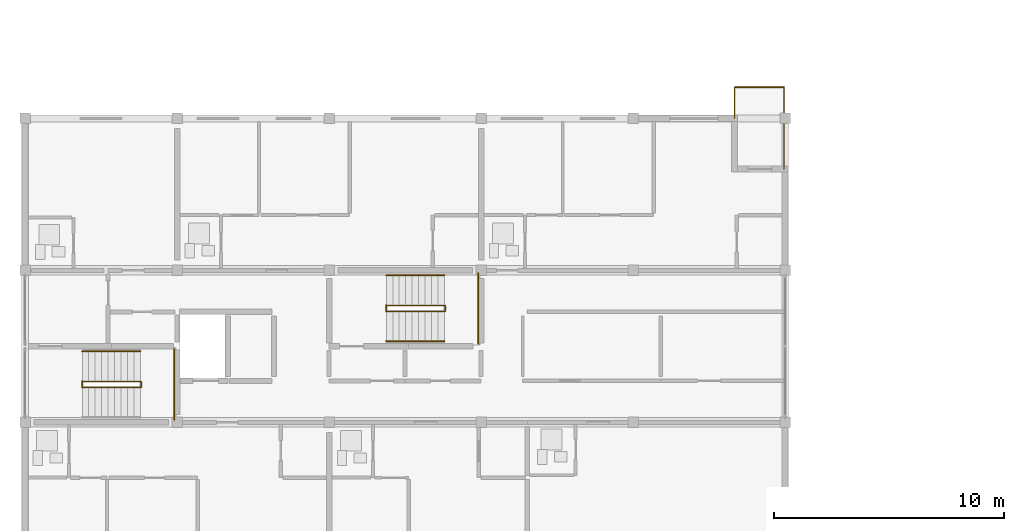
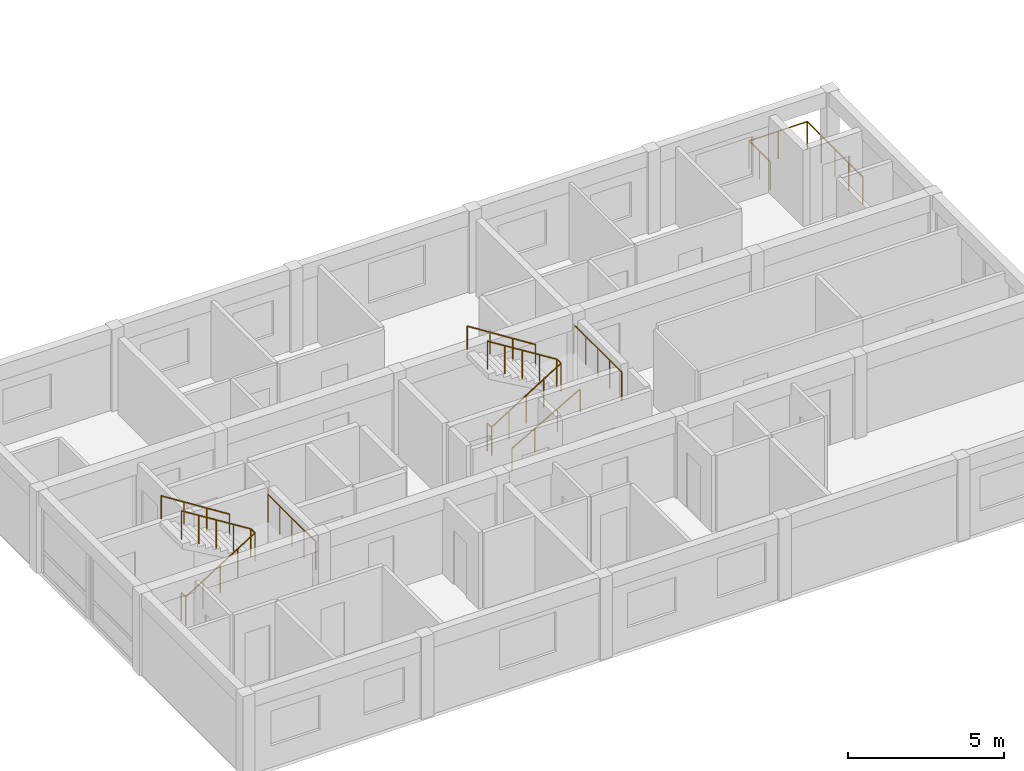
# One storey, part 31 of 34: 10 railings.
"""IFC4 building model written with IfcOpenShell, lengths in metres."""

import ifcopenshell
import ifcopenshell.guid

model = None  # the IFC model being written
_history = None  # IfcOwnerHistory: only IFC2X3 demands one
_inside = {}  # id of a spatial element -> (the spatial element, [elements in it])
_under = {}  # id of a project, library or spatial element -> (it, [spatial elements below it])
_declared = {}  # id of a project -> (the project, [libraries it declares])
_typed = {}  # id of a type object -> (the type object, [elements of that type])
_made_of = {}  # id of a material, layer set ... -> (it, [elements and type objects made of it])


def new_model(schema):
    """Start an empty IFC model of exactly this schema.

    Asked for "IFC4X3", IfcOpenShell would pick the latest addendum, in which some entities
    have other attributes; the version numbers below select the first issue.
    IFC2X3 requires an IfcOwnerHistory on every rooted entity: one is made here for all.
    """
    global model, _history
    if schema == "IFC4X3":
        model = ifcopenshell.file(schema_version=(4, 3, 0, 0))
    else:
        model = ifcopenshell.file(schema=schema)
    _inside.clear()
    _under.clear()
    _declared.clear()
    _typed.clear()
    _made_of.clear()
    _history = None
    if model.schema == "IFC2X3":
        org = make("IfcOrganization", Name="unknown")
        user = make(
            "IfcPersonAndOrganization",
            ThePerson=make("IfcPerson", FamilyName="unknown"),
            TheOrganization=org,
        )
        app = make(
            "IfcApplication",
            ApplicationDeveloper=org,
            Version="unknown",
            ApplicationFullName="unknown",
            ApplicationIdentifier="unknown",
        )
        _history = make(
            "IfcOwnerHistory",
            OwningUser=user,
            OwningApplication=app,
            ChangeAction="ADDED",
            CreationDate=0,
        )
    return model


def make(cls, **values):
    """One entity of the class cls with the attributes given. An attribute that is None is left unset."""
    return model.create_entity(
        cls, **{name: value for name, value in values.items() if value is not None}
    )


def rooted(cls, **values):
    """An entity with a GlobalId (a new one), such as an element, a storey or a relation."""
    return make(cls, GlobalId=ifcopenshell.guid.new(), OwnerHistory=_history, **values)


def si_unit(unit_type, name, prefix=None):
    """IfcSIUnit, for example si_unit("LENGTHUNIT", "METRE", prefix="MILLI")."""
    return make("IfcSIUnit", UnitType=unit_type, Prefix=prefix, Name=name)


def assignment(units):
    """IfcUnitAssignment: the units of a project."""
    return None if units is None else make("IfcUnitAssignment", Units=units)


def point(xyz):
    """IfcCartesianPoint."""
    return None if xyz is None else make("IfcCartesianPoint", Coordinates=xyz)


def direction(xyz):
    """IfcDirection."""
    return None if xyz is None else make("IfcDirection", DirectionRatios=xyz)


def frame(location, z_axis=None, x_axis=None):
    """IfcAxis2Placement3D, a coordinate frame: its origin and axes. An axis left out is left unset."""
    return make(
        "IfcAxis2Placement3D",
        Location=point(location),
        Axis=direction(z_axis),
        RefDirection=direction(x_axis),
    )


def frame_2d(location, x_axis=None):
    """IfcAxis2Placement2D, a coordinate frame in the plane: its origin and x axis."""
    return make(
        "IfcAxis2Placement2D", Location=point(location), RefDirection=direction(x_axis)
    )


def origin():
    """The frame at (0, 0, 0) with its axes left unset."""
    return frame((0.0, 0.0, 0.0))


def origin_2d():
    """The frame at (0, 0) in the plane with its x axis left unset."""
    return frame_2d((0.0, 0.0))


def place(relative_to, where):
    """IfcLocalPlacement: puts the frame where relative to a parent placement (None: the world)."""
    return make(
        "IfcLocalPlacement", PlacementRelTo=relative_to, RelativePlacement=where
    )


def context(
    kind, dimensions, precision=None, world=None, true_north=None, identifier=None
):
    """IfcGeometricRepresentationContext, for example the 3D "Model" context."""
    return make(
        "IfcGeometricRepresentationContext",
        ContextIdentifier=identifier,
        ContextType=kind,
        CoordinateSpaceDimension=dimensions,
        Precision=precision,
        WorldCoordinateSystem=world,
        TrueNorth=true_north,
    )


def subcontext(parent, identifier, kind, view, scale=None):
    """IfcGeometricRepresentationSubContext, for example "Body" below "Model"."""
    return make(
        "IfcGeometricRepresentationSubContext",
        ContextIdentifier=identifier,
        ContextType=kind,
        ParentContext=parent,
        TargetScale=scale,
        TargetView=view,
    )


def project(units=None, contexts=None):
    """IfcProject with its units and contexts."""
    return rooted(
        "IfcProject",
        Name="project",
        RepresentationContexts=contexts,
        UnitsInContext=assignment(units),
    )


def spatial(cls, under=None, at=None, **own):
    """A site, building, storey or space (cls), placed at a placement, below another one or the project."""
    s = rooted(cls, ObjectPlacement=at, **own)
    if under is not None:
        _under.setdefault(under.id(), (under, []))[1].append(s)
    return s


def profile(cls, at=None, kind="AREA", **sizes):
    """A parametric profile (cls). Its sizes go by their IFC names, for example OverallWidth=200.0."""
    return make(cls, ProfileType=kind, Position=at, **sizes)


def circle(**sizes):
    """IfcCircleProfileDef."""
    return profile("IfcCircleProfileDef", **sizes)


def extrude(swept, where, along, depth):
    """IfcExtrudedAreaSolid: the profile swept, set in the frame where, extruded along a direction by depth."""
    return make(
        "IfcExtrudedAreaSolid",
        SweptArea=swept,
        Position=where,
        ExtrudedDirection=direction(along),
        Depth=depth,
    )


def shape(context_of_items, identifier, shape_type, items):
    """IfcShapeRepresentation: the items that make up one representation, for example the "Body"."""
    return make(
        "IfcShapeRepresentation",
        ContextOfItems=context_of_items,
        RepresentationIdentifier=identifier,
        RepresentationType=shape_type,
        Items=items,
    )


def material(Name=None, Category=None):
    """IfcMaterial."""
    return make("IfcMaterial", Name=Name, Category=Category)


def made_of(thing, what):
    """Note that an element or type object is made of a material, layer set ...; save() writes the relation."""
    if what is not None:
        _made_of.setdefault(what.id(), (what, []))[1].append(thing)
    return thing


def type_object(cls, material=None, **own):
    """A type object (cls), such as IfcWallType, which elements share."""
    return made_of(rooted(cls, **own), material)


def element(
    cls,
    number,
    at=None,
    inside=None,
    cuts=None,
    type_object=None,
    material=None,
    context=None,
    identifier="Body",
    shape_type=None,
    held_by="IfcProductDefinitionShape",
    body=None,
    shapes=None,
    **own,
):
    """One element of the class cls, such as IfcWall. Its Tag is "e" and its number.

    at: its placement. inside: the storey or other place that contains it. cuts: it is an
    opening in that element (IfcRelVoidsElement). A single representation is given by context,
    identifier, shape_type and body (its items); several are given by shapes. held_by: the class
    of the entity that holds the representations. save() writes the other relations.
    """
    e = rooted(cls, Tag="e%d" % number, ObjectPlacement=at, **own)
    if body is not None:
        shapes = [shape(context, identifier, shape_type, body)]
    if shapes is not None:
        e.Representation = make(held_by, Representations=shapes)
    if inside is not None:
        _inside.setdefault(inside.id(), (inside, []))[1].append(e)
    if cuts is not None:
        rooted(
            "IfcRelVoidsElement", RelatingBuildingElement=cuts, RelatedOpeningElement=e
        )
    if type_object is not None:
        _typed.setdefault(type_object.id(), (type_object, []))[1].append(e)
    return made_of(e, material)


def aggregate(whole, parts):
    """IfcRelAggregates: a whole, such as a stair, and the parts it consists of."""
    return rooted("IfcRelAggregates", RelatingObject=whole, RelatedObjects=parts)


def save(model, path):
    """Write the relations noted so far, then the file.

    IfcRelAggregates (storeys below a building ...), IfcRelContainedInSpatialStructure (elements
    in a storey), IfcRelDefinesByType, IfcRelAssociatesMaterial and IfcRelDeclares: one each for
    every whole, place, type object, material and project.
    """
    for whole, parts in _under.values():
        aggregate(whole, parts)
    for where, things in _inside.values():
        rooted(
            "IfcRelContainedInSpatialStructure",
            RelatedElements=things,
            RelatingStructure=where,
        )
    for kind, things in _typed.values():
        rooted("IfcRelDefinesByType", RelatedObjects=things, RelatingType=kind)
    for what, things in _made_of.values():
        rooted("IfcRelAssociatesMaterial", RelatedObjects=things, RelatingMaterial=what)
    for by, libraries in _declared.values():
        rooted("IfcRelDeclares", RelatingContext=by, RelatedDefinitions=libraries)
    model.write(path)


model = new_model("IFC4")

# Units and contexts
model_context = context("Model", 3, precision=1e-05, world=origin(), true_north=direction((0.0, 1.0)))
body_context = subcontext(model_context, "Body", "Model", "MODEL_VIEW")
ifc_project = project(units=[si_unit("LENGTHUNIT", "METRE"), si_unit("AREAUNIT", "SQUARE_METRE"), si_unit("VOLUMEUNIT", "CUBIC_METRE"), si_unit("PLANEANGLEUNIT", "RADIAN"), si_unit("MASSUNIT", "GRAM", prefix="KILO")], contexts=[model_context])

# Site, building, storey
site_placement = place(None, origin())
site = spatial("IfcSite", under=ifc_project, at=site_placement, CompositionType="ELEMENT")
building_placement = place(site_placement, origin())
building = spatial("IfcBuilding", under=site, at=building_placement, Name="Kernevlak Ridge Housing Community", CompositionType="ELEMENT")
storey_placement = place(building_placement, frame((0.0, 0.0, 40.39990234375)))
storey = spatial("IfcBuildingStorey", under=building, at=storey_placement, Name="L12", CompositionType="ELEMENT", Elevation=40.39990234375)

# Railings
ifc_material_1 = material(Name="Steel S355", Category="steel")
railing_type_1 = type_object("IfcRailingType", Name="BL-01", PredefinedType="BALUSTRADE", material=ifc_material_1)
railing_1_placement = place(storey_placement, frame((46.39990234375, 95.800048828125, 0.0)))
element("IfcRailing", 1, at=railing_1_placement, inside=storey, type_object=railing_type_1, Name="Block A L12 balcony balustrade BL-01 12", PredefinedType="BALUSTRADE", context=body_context, shape_type="SweptSolid", body=[
    extrude(circle(Radius=0.02392578125, at=origin_2d()), frame((0.0, 0.0, 1.076171875), z_axis=(0.0, 1.0, 0.0), x_axis=(-1.0, 0.0, 0.0)), (0.0, 0.0, 1.0), 1.349853515625),
    extrude(circle(Radius=0.02392578125, at=origin_2d()), frame((0.0, 1.349853515625, 1.076171875), z_axis=(1.0, 0.0, 0.0), x_axis=(0.0, 1.0, 0.0)), (0.0, 0.0, 1.0), 2.150146484375),
    extrude(circle(Radius=0.02392578125, at=origin_2d()), frame((2.150146484375, 1.349853515625, 1.076171875), z_axis=(0.0, -1.0, 0.0), x_axis=(1.0, 0.0, 0.0)), (0.0, 0.0, 1.0), 3.5498046875),
    extrude(circle(Radius=0.02099609375, at=origin_2d()), origin(), (0.0, 0.0, 1.0), 1.052001953125),
    extrude(circle(Radius=0.02099609375, at=origin_2d()), frame((0.0, 0.6748046875, 0.0)), (0.0, 0.0, 1.0), 1.052001953125),
    extrude(circle(Radius=0.02099609375, at=origin_2d()), frame((0.0, 1.349853515625, 0.0)), (0.0, 0.0, 1.0), 1.052001953125),
    extrude(circle(Radius=0.02099609375, at=origin_2d()), frame((1.0751953125, 1.349853515625, 0.0)), (0.0, 0.0, 1.0), 1.052001953125),
    extrude(circle(Radius=0.02099609375, at=origin_2d()), frame((2.150146484375, 1.349853515625, 0.0)), (0.0, 0.0, 1.0), 1.052001953125),
    extrude(circle(Radius=0.02099609375, at=origin_2d()), frame((2.150146484375, 0.46240234375, 0.0)), (0.0, 0.0, 1.0), 1.052001953125),
    extrude(circle(Radius=0.02099609375, at=origin_2d()), frame((2.150146484375, -0.425048828125, 0.0)), (0.0, 0.0, 1.0), 1.052001953125),
    extrude(circle(Radius=0.02099609375, at=origin_2d()), frame((2.150146484375, -1.3125, 0.0)), (0.0, 0.0, 1.0), 1.052001953125),
    extrude(circle(Radius=0.02099609375, at=origin_2d()), frame((2.150146484375, -2.199951171875, 0.0)), (0.0, 0.0, 1.0), 1.052001953125),
])
railing_type_2 = type_object("IfcRailingType", Name="GR-02", PredefinedType="GUARDRAIL", material=ifc_material_1)
railing_2_placement = place(storey_placement, frame((18.080078125, 84.110107421875, 0.0)))
element("IfcRailing", 2, at=railing_2_placement, inside=storey, type_object=railing_type_2, Name="Stair ST-A1 L12 well slot guard", PredefinedType="GUARDRAIL", context=body_context, shape_type="SweptSolid", body=[
    extrude(circle(Radius=0.02392578125, at=origin_2d()), frame((0.0, 0.0, 1.09619140625), z_axis=(0.0, 1.0, 0.0), x_axis=(-1.0, 0.0, 0.0)), (0.0, 0.0, 1.0), 0.27978515625),
    extrude(circle(Radius=0.02099609375, at=origin_2d()), origin(), (0.0, 0.0, 1.0), 1.072021484375),
    extrude(circle(Radius=0.02099609375, at=origin_2d()), frame((0.0, 0.27978515625, 0.0)), (0.0, 0.0, 1.0), 1.072021484375),
])
railing_3_placement = place(storey_placement, frame((18.080078125, 84.1201171875, 0.0)))
element("IfcRailing", 3, at=railing_3_placement, inside=storey, type_object=railing_type_2, Name="Stair ST-A1 L12 inner well guardrail", PredefinedType="GUARDRAIL", context=body_context, shape_type="SweptSolid", body=[
    extrude(circle(Radius=0.02392578125, at=origin_2d()), frame((0.0, 0.0, 1.09619140625), z_axis=(0.847966497998, 0.0, 0.530049826217), x_axis=(0.0, 1.0, 0.0)), (0.0, 0.0, 1.0), 3.018798828125),
    extrude(circle(Radius=0.02392578125, at=origin_2d()), frame((2.559814453125, 0.0, 2.6962890625), z_axis=(0.0, 1.0, 0.0), x_axis=(-1.0, 0.0, 0.0)), (0.0, 0.0, 1.0), 0.259765625),
    extrude(circle(Radius=0.02392578125, at=origin_2d()), frame((2.559814453125, 0.259765625, 2.6962890625), z_axis=(-0.847966497998, 0.0, 0.530049826217), x_axis=(0.0, -1.0, 0.0)), (0.0, 0.0, 1.0), 3.018798828125),
    extrude(circle(Radius=0.02099609375, at=origin_2d()), origin(), (0.0, 0.0, 1.0), 1.072021484375),
    extrude(circle(Radius=0.02099609375, at=origin_2d()), frame((0.639892578125, 0.0, 0.39990234375)), (0.0, 0.0, 1.0), 1.072021484375),
    extrude(circle(Radius=0.02099609375, at=origin_2d()), frame((1.27978515625, 0.0, 0.800048828125)), (0.0, 0.0, 1.0), 1.072021484375),
    extrude(circle(Radius=0.02099609375, at=origin_2d()), frame((1.919921875, 0.0, 1.2001953125)), (0.0, 0.0, 1.0), 1.072021484375),
    extrude(circle(Radius=0.02099609375, at=origin_2d()), frame((2.559814453125, 0.0, 1.60009765625)), (0.0, 0.0, 1.0), 1.072021484375),
    extrude(circle(Radius=0.02099609375, at=origin_2d()), frame((2.559814453125, 0.259765625, 1.60009765625)), (0.0, 0.0, 1.0), 1.072021484375),
    extrude(circle(Radius=0.02099609375, at=origin_2d()), frame((1.919921875, 0.259765625, 2.0)), (0.0, 0.0, 1.0), 1.072021484375),
    extrude(circle(Radius=0.02099609375, at=origin_2d()), frame((1.27978515625, 0.259765625, 2.400146484375)), (0.0, 0.0, 1.0), 1.072021484375),
    extrude(circle(Radius=0.02099609375, at=origin_2d()), frame((0.639892578125, 0.259765625, 2.80029296875)), (0.0, 0.0, 1.0), 1.072021484375),
    extrude(circle(Radius=0.02099609375, at=origin_2d()), frame((0.0, 0.259765625, 3.2001953125)), (0.0, 0.0, 1.0), 1.072021484375),
])
railing_4_placement = place(storey_placement, frame((22.080078125, 82.719970703125, 1.60009765625)))
element("IfcRailing", 4, at=railing_4_placement, inside=storey, type_object=railing_type_2, Name="Stair ST-A1 L12 half-landing guard", PredefinedType="GUARDRAIL", context=body_context, shape_type="SweptSolid", body=[
    extrude(circle(Radius=0.02392578125, at=origin_2d()), frame((0.0, 0.0, 1.09619140625), z_axis=(0.0, 1.0, 0.0), x_axis=(-1.0, 0.0, 0.0)), (0.0, 0.0, 1.0), 3.06005859375),
    extrude(circle(Radius=0.02099609375, at=origin_2d()), origin(), (0.0, 0.0, 1.0), 1.072021484375),
    extrude(circle(Radius=0.02099609375, at=origin_2d()), frame((0.0, 0.76513671875, 0.0)), (0.0, 0.0, 1.0), 1.072021484375),
    extrude(circle(Radius=0.02099609375, at=origin_2d()), frame((0.0, 1.530029296875, 0.0)), (0.0, 0.0, 1.0), 1.072021484375),
    extrude(circle(Radius=0.02099609375, at=origin_2d()), frame((0.0, 2.294921875, 0.0)), (0.0, 0.0, 1.0), 1.072021484375),
    extrude(circle(Radius=0.02099609375, at=origin_2d()), frame((0.0, 3.06005859375, 0.0)), (0.0, 0.0, 1.0), 1.072021484375),
])
railing_5_placement = place(storey_placement, frame((31.280029296875, 87.409912109375, 0.0)))
element("IfcRailing", 5, at=railing_5_placement, inside=storey, type_object=railing_type_2, Name="Stair ST-A2 L12 well slot guard", PredefinedType="GUARDRAIL", context=body_context, shape_type="SweptSolid", body=[
    extrude(circle(Radius=0.02392578125, at=origin_2d()), frame((0.0, 0.0, 1.09619140625), z_axis=(0.0, 1.0, 0.0), x_axis=(-1.0, 0.0, 0.0)), (0.0, 0.0, 1.0), 0.280029296875),
    extrude(circle(Radius=0.02099609375, at=origin_2d()), origin(), (0.0, 0.0, 1.0), 1.072021484375),
    extrude(circle(Radius=0.02099609375, at=origin_2d()), frame((0.0, 0.280029296875, 0.0)), (0.0, 0.0, 1.0), 1.072021484375),
])
railing_6_placement = place(storey_placement, frame((31.280029296875, 87.419921875, 0.0)))
element("IfcRailing", 6, at=railing_6_placement, inside=storey, type_object=railing_type_2, Name="Stair ST-A2 L12 inner well guardrail", PredefinedType="GUARDRAIL", context=body_context, shape_type="SweptSolid", body=[
    extrude(circle(Radius=0.02392578125, at=origin_2d()), frame((0.0, 0.0, 1.09619140625), z_axis=(0.847989217509, 0.0, 0.530013478119), x_axis=(0.0, 1.0, 0.0)), (0.0, 0.0, 1.0), 3.01904296875),
    extrude(circle(Radius=0.02392578125, at=origin_2d()), frame((2.56005859375, 0.0, 2.6962890625), z_axis=(0.0, 1.0, 0.0), x_axis=(-1.0, 0.0, 0.0)), (0.0, 0.0, 1.0), 0.260009765625),
    extrude(circle(Radius=0.02392578125, at=origin_2d()), frame((2.56005859375, 0.260009765625, 2.6962890625), z_axis=(-0.847989217509, 0.0, 0.530013478119), x_axis=(0.0, -1.0, 0.0)), (0.0, 0.0, 1.0), 3.01904296875),
    extrude(circle(Radius=0.02099609375, at=origin_2d()), origin(), (0.0, 0.0, 1.0), 1.072021484375),
    extrude(circle(Radius=0.02099609375, at=origin_2d()), frame((0.64013671875, 0.0, 0.39990234375)), (0.0, 0.0, 1.0), 1.072021484375),
    extrude(circle(Radius=0.02099609375, at=origin_2d()), frame((1.280029296875, 0.0, 0.800048828125)), (0.0, 0.0, 1.0), 1.072021484375),
    extrude(circle(Radius=0.02099609375, at=origin_2d()), frame((1.919921875, 0.0, 1.2001953125)), (0.0, 0.0, 1.0), 1.072021484375),
    extrude(circle(Radius=0.02099609375, at=origin_2d()), frame((2.56005859375, 0.0, 1.60009765625)), (0.0, 0.0, 1.0), 1.072021484375),
    extrude(circle(Radius=0.02099609375, at=origin_2d()), frame((2.56005859375, 0.260009765625, 1.60009765625)), (0.0, 0.0, 1.0), 1.072021484375),
    extrude(circle(Radius=0.02099609375, at=origin_2d()), frame((1.919921875, 0.260009765625, 2.0)), (0.0, 0.0, 1.0), 1.072021484375),
    extrude(circle(Radius=0.02099609375, at=origin_2d()), frame((1.280029296875, 0.260009765625, 2.400146484375)), (0.0, 0.0, 1.0), 1.072021484375),
    extrude(circle(Radius=0.02099609375, at=origin_2d()), frame((0.64013671875, 0.260009765625, 2.80029296875)), (0.0, 0.0, 1.0), 1.072021484375),
    extrude(circle(Radius=0.02099609375, at=origin_2d()), frame((0.0, 0.260009765625, 3.2001953125)), (0.0, 0.0, 1.0), 1.072021484375),
])
railing_7_placement = place(storey_placement, frame((35.280029296875, 86.02001953125, 1.60009765625)))
element("IfcRailing", 7, at=railing_7_placement, inside=storey, type_object=railing_type_2, Name="Stair ST-A2 L12 half-landing guard", PredefinedType="GUARDRAIL", context=body_context, shape_type="SweptSolid", body=[
    extrude(circle(Radius=0.02392578125, at=origin_2d()), frame((0.0, 0.0, 1.09619140625), z_axis=(0.0, 1.0, 0.0), x_axis=(-1.0, 0.0, 0.0)), (0.0, 0.0, 1.0), 3.06005859375),
    extrude(circle(Radius=0.02099609375, at=origin_2d()), origin(), (0.0, 0.0, 1.0), 1.072021484375),
    extrude(circle(Radius=0.02099609375, at=origin_2d()), frame((0.0, 0.76513671875, 0.0)), (0.0, 0.0, 1.0), 1.072021484375),
    extrude(circle(Radius=0.02099609375, at=origin_2d()), frame((0.0, 1.530029296875, 0.0)), (0.0, 0.0, 1.0), 1.072021484375),
    extrude(circle(Radius=0.02099609375, at=origin_2d()), frame((0.0, 2.294921875, 0.0)), (0.0, 0.0, 1.0), 1.072021484375),
    extrude(circle(Radius=0.02099609375, at=origin_2d()), frame((0.0, 3.06005859375, 0.0)), (0.0, 0.0, 1.0), 1.072021484375),
])
ifc_material_2 = material(Name="Stainless steel EN 1.4401", Category="steel")
railing_type_3 = type_object("IfcRailingType", Name="HR-01", PredefinedType="HANDRAIL", material=ifc_material_2)
railing_8_placement = place(storey_placement, frame((20.60009765625, 85.679931640625, 1.60009765625)))
element("IfcRailing", 8, at=railing_8_placement, inside=storey, type_object=railing_type_3, Name="Stair ST-A1 L12 flight 2 handrail", PredefinedType="HANDRAIL", context=body_context, shape_type="SweptSolid", body=[
    extrude(circle(Radius=0.02392578125, at=origin_2d()), frame((0.0, 0.0, 0.89599609375), z_axis=(-0.844199891302, 0.0, 0.536028491338), x_axis=(0.0, -1.0, 0.0)), (0.0, 0.0, 1.0), 2.985107421875),
    extrude(circle(Radius=0.02099609375, at=origin_2d()), origin(), (0.0, 0.0, 1.0), 0.871826171875),
    extrude(circle(Radius=0.02099609375, at=origin_2d()), frame((-0.840087890625, 0.0, 0.533447265625)), (0.0, 0.0, 1.0), 0.871826171875),
    extrude(circle(Radius=0.02099609375, at=origin_2d()), frame((-1.679931640625, 0.0, 1.066650390625)), (0.0, 0.0, 1.0), 0.871826171875),
    extrude(circle(Radius=0.02099609375, at=origin_2d()), frame((-2.52001953125, 0.0, 1.60009765625)), (0.0, 0.0, 1.0), 0.871826171875),
])
railing_9_placement = place(storey_placement, frame((31.280029296875, 86.1201171875, 0.16015625)))
element("IfcRailing", 9, at=railing_9_placement, inside=storey, type_object=railing_type_3, Name="Stair ST-A2 L12 flight 1 handrail", PredefinedType="HANDRAIL", context=body_context, shape_type="SweptSolid", body=[
    extrude(circle(Radius=0.02392578125, at=origin_2d()), frame((0.0, 0.0, 0.89599609375), z_axis=(0.868253494771, 0.0, 0.496120820787), x_axis=(0.0, 1.0, 0.0)), (0.0, 0.0, 1.0), 2.90234375),
    extrude(circle(Radius=0.02099609375, at=origin_2d()), origin(), (0.0, 0.0, 1.0), 0.871826171875),
    extrude(circle(Radius=0.02099609375, at=origin_2d()), frame((0.840087890625, 0.0, 0.47998046875)), (0.0, 0.0, 1.0), 0.871826171875),
    extrude(circle(Radius=0.02099609375, at=origin_2d()), frame((1.679931640625, 0.0, 0.9599609375)), (0.0, 0.0, 1.0), 0.871826171875),
    extrude(circle(Radius=0.02099609375, at=origin_2d()), frame((2.52001953125, 0.0, 1.43994140625)), (0.0, 0.0, 1.0), 0.871826171875),
])
railing_10_placement = place(storey_placement, frame((33.800048828125, 88.97998046875, 1.60009765625)))
element("IfcRailing", 10, at=railing_10_placement, inside=storey, type_object=railing_type_3, Name="Stair ST-A2 L12 flight 2 handrail", PredefinedType="HANDRAIL", context=body_context, shape_type="SweptSolid", body=[
    extrude(circle(Radius=0.02392578125, at=origin_2d()), frame((0.0, 0.0, 0.89599609375), z_axis=(-0.844199891302, 0.0, 0.536028491338), x_axis=(0.0, -1.0, 0.0)), (0.0, 0.0, 1.0), 2.985107421875),
    extrude(circle(Radius=0.02099609375, at=origin_2d()), origin(), (0.0, 0.0, 1.0), 0.871826171875),
    extrude(circle(Radius=0.02099609375, at=origin_2d()), frame((-0.840087890625, 0.0, 0.533447265625)), (0.0, 0.0, 1.0), 0.871826171875),
    extrude(circle(Radius=0.02099609375, at=origin_2d()), frame((-1.679931640625, 0.0, 1.066650390625)), (0.0, 0.0, 1.0), 0.871826171875),
    extrude(circle(Radius=0.02099609375, at=origin_2d()), frame((-2.52001953125, 0.0, 1.60009765625)), (0.0, 0.0, 1.0), 0.871826171875),
])

save(model, "model.ifc")
